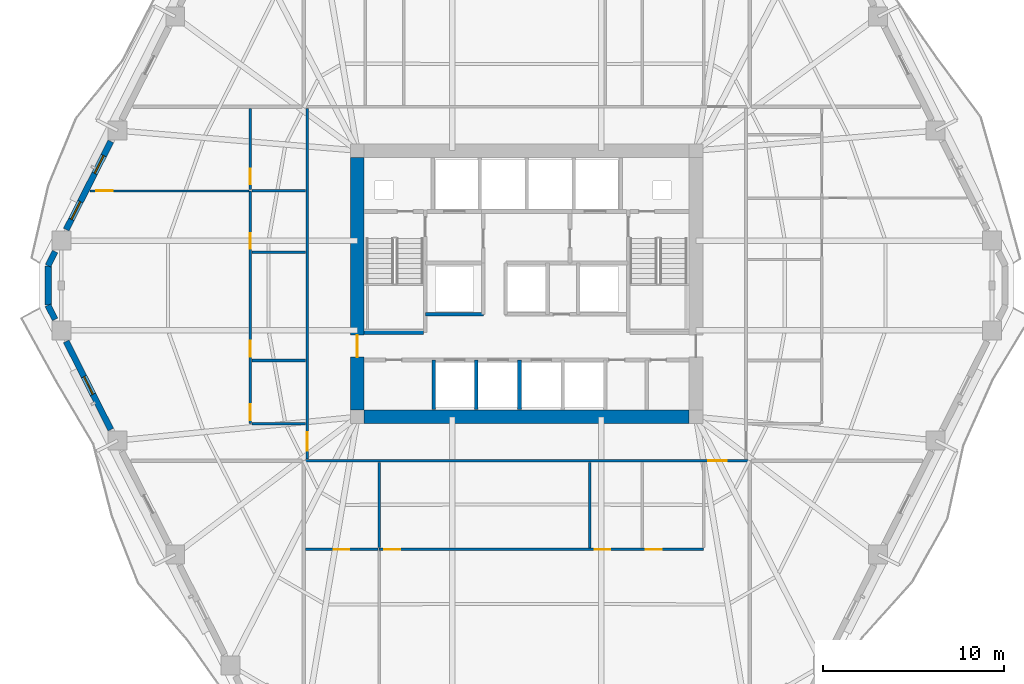
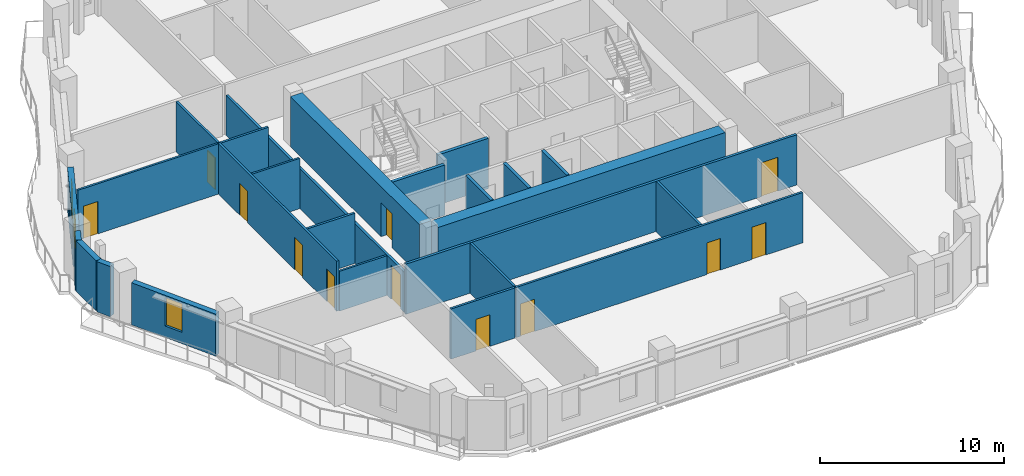
# One storey, part 4 of 13: 25 walls, 12 doors, 3 windows, 15 openings.
"""IFC4 building model written with IfcOpenShell, lengths in metres."""

from ifc_helpers import new_model, si_unit, direction, frame, frame_2d, origin, place, context, subcontext, project, spatial, rectangle, extrude, material, layer, layer_set, type_object, element, fill, save


model = new_model("IFC4")

# Units and contexts
model_context = context("Model", 3, precision=1e-05, world=origin(), true_north=direction((0.0, 1.0)))
body_context = subcontext(model_context, "Body", "Model", "MODEL_VIEW")
ifc_project = project(units=[si_unit("LENGTHUNIT", "METRE"), si_unit("AREAUNIT", "SQUARE_METRE"), si_unit("VOLUMEUNIT", "CUBIC_METRE"), si_unit("PLANEANGLEUNIT", "RADIAN"), si_unit("MASSUNIT", "GRAM", prefix="KILO")], contexts=[model_context])

# Site, building, storey
site_placement = place(None, origin())
site = spatial("IfcSite", under=ifc_project, at=site_placement, CompositionType="ELEMENT")
building_placement = place(site_placement, origin())
building = spatial("IfcBuilding", under=site, at=building_placement, Name="Cinnabar Lancet Tower", CompositionType="ELEMENT")
storey_placement = place(building_placement, frame((0.0, 0.0, 83.550048828125)))
storey = spatial("IfcBuildingStorey", under=building, at=storey_placement, Name="L21", CompositionType="ELEMENT", Elevation=83.550048828125)

# Wall, opening, door
ifc_material_1 = material(Name="Acoustic twin-stud gypsum partition", Category="gypsum")
ifc_layer_1 = layer(ifc_material_1, 0.159912109375)
ifc_layer_set_1 = layer_set([ifc_layer_1], Name="Acoustic twin-stud gypsum partition")
wall_type_1 = type_object("IfcWallType", Name="ARC-WL-CORR-160", PredefinedType="PARTITIONING", material=ifc_layer_set_1)
wall_1_placement = place(storey_placement, frame((20.14501953125, 16.10009765625, 0.0), z_axis=(0.0, 0.0, 1.0), x_axis=(1.0, 0.0, 0.0)))
wall_1 = element("IfcWall", 1, at=wall_1_placement, inside=storey, type_object=wall_type_1, Name="L21 Unit S01 Corridor Wall", PredefinedType="PARTITIONING", context=body_context, shape_type="SweptSolid", body=[
    extrude(rectangle(XDim=24.510009765625, YDim=0.159912109375, at=frame_2d((12.2548828125, 0.0))), origin(), (0.0, 0.0, 1.0), 3.329833984375),
])
opening_1_placement = place(wall_1_placement, frame((22.304931640625, 0.0, 0.0)))
opening_1 = element("IfcOpeningElement", 2, at=opening_1_placement, cuts=wall_1, Name="Opening UD-01", PredefinedType="OPENING", context=body_context, shape_type="SweptSolid", body=[
    extrude(rectangle(XDim=1.02001953125, YDim=2.25, at=frame_2d((0.510009765625, 1.125))), frame((0.0, 0.08984375, 0.0), z_axis=(0.0, -1.0, 0.0), x_axis=(1.0, 0.0, 0.0)), (0.0, 0.0, 1.0), 0.179931640625),
])
ifc_material_2 = material(Name="Solid timber fire-rated apartment entrance door", Category="wood")
door_type_1 = type_object("IfcDoorType", Name="ARC-DR-UNIT", OperationType="NOTDEFINED", PredefinedType="DOOR", material=ifc_material_2)
door_1_placement = place(opening_1_placement, origin())
door_1 = element("IfcDoor", 3, at=door_1_placement, inside=storey, type_object=door_type_1, Name="DR-L21-S01-ENT", OperationType="SINGLE_SWING_RIGHT", OverallHeight=2.25, OverallWidth=1.02001953125, PredefinedType="DOOR", context=body_context, shape_type="SweptSolid", body=[
    extrude(rectangle(XDim=1.02001953125, YDim=2.25, at=frame_2d((0.510009765625, 1.125))), frame((0.0, 0.02490234375, 0.0), z_axis=(0.0, -1.0, 0.0), x_axis=(1.0, 0.0, 0.0)), (0.0, 0.0, 1.0), 0.050048828125),
])
fill(opening_1, door_1)

wall_2_placement = place(storey_placement, frame((20.25, 16.195068359375, 0.0), z_axis=(0.0, 0.0, 1.0), x_axis=(0.0, 1.0, 0.0)))
wall_2 = element("IfcWall", 4, at=wall_2_placement, inside=storey, type_object=wall_type_1, Name="UW-L21-W01-COR", PredefinedType="PARTITIONING", context=body_context, shape_type="SweptSolid", body=[
    extrude(rectangle(XDim=19.409912109375, YDim=0.159912109375, at=frame_2d((9.705078125, 0.0))), origin(), (0.0, 0.0, 1.0), 2.635986328125),
])
opening_2_placement = place(wall_2_placement, frame((0.449951171875, 0.0, 0.0)))
opening_2 = element("IfcOpeningElement", 5, at=opening_2_placement, cuts=wall_2, Name="Opening UD-01", PredefinedType="OPENING", context=body_context, shape_type="SweptSolid", body=[
    extrude(rectangle(XDim=1.02001953125, YDim=2.25, at=frame_2d((0.510009765625, 1.125))), frame((0.0, 0.08984375, 0.0), z_axis=(0.0, -1.0, 0.0), x_axis=(1.0, 0.0, 0.0)), (0.0, 0.0, 1.0), 0.179931640625),
])
door_2_placement = place(opening_2_placement, origin())
door_2 = element("IfcDoor", 6, at=door_2_placement, inside=storey, type_object=door_type_1, Name="DR-L21-W01-ENT", OperationType="SINGLE_SWING_RIGHT", OverallHeight=2.25, OverallWidth=1.02001953125, PredefinedType="DOOR", context=body_context, shape_type="SweptSolid", body=[
    extrude(rectangle(XDim=1.02001953125, YDim=2.25, at=frame_2d((0.510009765625, 1.125))), frame((0.0, 0.02490234375, 0.0), z_axis=(0.0, -1.0, 0.0), x_axis=(1.0, 0.0, 0.0)), (0.0, 0.0, 1.0), 0.050048828125),
])
fill(opening_2, door_2)

# Walls
ifc_material_3 = material(Name="Autoclaved aerated concrete blockwork", Category="masonry")
ifc_layer_2 = layer(ifc_material_3, 0.199951171875)
ifc_layer_set_2 = layer_set([ifc_layer_2], Name="Autoclaved aerated concrete blockwork")
wall_type_2 = type_object("IfcWallType", Name="ARC-WL-SHAFT-200", PredefinedType="PLUMBINGWALL", material=ifc_layer_set_2)
wall_3_placement = place(storey_placement, frame((23.405029296875, 23.199951171875, 0.0), z_axis=(0.0, 0.0, 1.0), x_axis=(1.0, 0.0, 0.0)))
element("IfcWall", 7, at=wall_3_placement, inside=storey, type_object=wall_type_2, Name="CW-ST1S-L21", PredefinedType="PLUMBINGWALL", context=body_context, shape_type="SweptSolid", body=[
    extrude(rectangle(XDim=3.27001953125, YDim=0.199951171875, at=frame_2d((1.635009765625, 0.0))), origin(), (0.0, 0.0, 1.0), 3.329833984375),
])
wall_4_placement = place(storey_placement, frame((26.800048828125, 24.199951171875, 0.0), z_axis=(0.0, 0.0, 1.0), x_axis=(1.0, 0.0, 0.0)))
element("IfcWall", 8, at=wall_4_placement, inside=storey, type_object=wall_type_2, Name="CW-PL5S-L21", PredefinedType="PLUMBINGWALL", context=body_context, shape_type="SweptSolid", body=[
    extrude(rectangle(XDim=3.199951171875, YDim=0.199951171875, at=frame_2d((1.60009765625, 0.0))), origin(), (0.0, 0.0, 1.0), 3.329833984375),
])
for number, where, z_axis, x_axis, name in (
    (9, (27.25, 18.949951171875, 0.0), (0.0, 0.0, 1.0), (0.0, 1.0, 0.0), "CW-SB-2725-L21"),
    (10, (29.60009765625, 18.949951171875, 0.0), (0.0, 0.0, 1.0), (0.0, 1.0, 0.0), "CW-SB-2960-L21"),
    (11, (32.0, 18.949951171875, 0.0), (0.0, 0.0, 1.0), (0.0, 1.0, 0.0), "CW-SB-3200-L21"),
):
    element("IfcWall", number, at=place(storey_placement, frame(where, z_axis=z_axis, x_axis=x_axis)), inside=storey, type_object=wall_type_2, Name=name, PredefinedType="PLUMBINGWALL", context=body_context, shape_type="SweptSolid", body=[
        extrude(rectangle(XDim=2.72998046875, YDim=0.199951171875, at=frame_2d((1.364990234375, 0.0))), origin(), (0.0, 0.0, 1.0), 3.329833984375),
    ])
ifc_material_4 = material(Name="Gypsum plasterboard stud partition", Category="gypsum")
ifc_layer_3 = layer(ifc_material_4, 0.125)
ifc_layer_set_3 = layer_set([ifc_layer_3], Name="Gypsum plasterboard stud partition")
wall_type_3 = type_object("IfcWallType", Name="ARC-WL-UNIT-125", PredefinedType="PARTITIONING", material=ifc_layer_set_3)
wall_5_placement = place(storey_placement, frame((17.18505859375, 18.14990234375, 0.0), z_axis=(0.0, 0.0, 1.0), x_axis=(1.0, 0.0, 0.0)))
element("IfcWall", 12, at=wall_5_placement, inside=storey, type_object=wall_type_3, Name="UW-L21-W01-FOYN", PredefinedType="PARTITIONING", context=body_context, shape_type="SweptSolid", body=[
    extrude(rectangle(XDim=2.97998046875, YDim=0.125, at=frame_2d((1.489990234375, 0.0))), origin(), (0.0, 0.0, 1.0), 2.635986328125),
])

# Wall, opening, door
wall_6_placement = place(storey_placement, frame((8.215087890625, 31.0380859375, 0.0), z_axis=(0.0, 0.0, 1.0), x_axis=(1.0, 0.0, 0.0)))
wall_6 = element("IfcWall", 13, at=wall_6_placement, inside=storey, type_object=wall_type_3, Name="UW-L21-W01-MBN", PredefinedType="PARTITIONING", context=body_context, shape_type="SweptSolid", body=[
    extrude(rectangle(XDim=8.809814453125, YDim=0.125, at=frame_2d((4.40478515625, 0.0))), origin(), (0.0, 0.0, 1.0), 3.329833984375),
])
opening_3_placement = place(wall_6_placement, frame((0.35009765625, 0.0, 0.0)))
opening_3 = element("IfcOpeningElement", 14, at=opening_3_placement, cuts=wall_6, Name="Opening RD-01", PredefinedType="OPENING", context=body_context, shape_type="SweptSolid", body=[
    extrude(rectangle(XDim=0.919921875, YDim=2.14990234375, at=frame_2d((0.4599609375, 1.074951171875))), frame((0.0, 0.072509765625, 0.0), z_axis=(0.0, -1.0, 0.0), x_axis=(1.0, 0.0, 0.0)), (0.0, 0.0, 1.0), 0.14501953125),
])
ifc_material_5 = material(Name="Engineered timber bedroom door", Category="wood")
door_type_2 = type_object("IfcDoorType", Name="ARC-DR-ROOM", OperationType="NOTDEFINED", PredefinedType="DOOR", material=ifc_material_5)
door_3_placement = place(opening_3_placement, origin())
door_3 = element("IfcDoor", 15, at=door_3_placement, inside=storey, type_object=door_type_2, Name="DR-L21-W01-MBD", OperationType="SINGLE_SWING_RIGHT", OverallHeight=2.14990234375, OverallWidth=0.919921875, PredefinedType="DOOR", context=body_context, shape_type="SweptSolid", body=[
    extrude(rectangle(XDim=0.919921875, YDim=2.14990234375, at=frame_2d((0.4599609375, 1.074951171875))), frame((0.0, 0.02490234375, 0.0), z_axis=(0.0, -1.0, 0.0), x_axis=(1.0, 0.0, 0.0)), (0.0, 0.0, 1.0), 0.050048828125),
])
fill(opening_3, door_3)

# Wall
wall_7_placement = place(storey_placement, frame((17.18505859375, 27.637939453125, 0.0), z_axis=(0.0, 0.0, 1.0), x_axis=(1.0, 0.0, 0.0)))
element("IfcWall", 16, at=wall_7_placement, inside=storey, type_object=wall_type_3, Name="UW-L21-W01-UDV", PredefinedType="PARTITIONING", context=body_context, shape_type="SweptSolid", body=[
    extrude(rectangle(XDim=2.97998046875, YDim=0.125, at=frame_2d((1.489990234375, 0.0))), origin(), (0.0, 0.0, 1.0), 3.329833984375),
])

# Wall, openings, doors
ifc_material_6 = material(Name="Moisture-resistant cement-board plumbing wall", Category="masonry")
ifc_layer_4 = layer(ifc_material_6, 0.139892578125)
ifc_layer_set_4 = layer_set([ifc_layer_4], Name="Moisture-resistant cement-board plumbing wall")
wall_type_4 = type_object("IfcWallType", Name="ARC-WL-WET-140", PredefinedType="PLUMBINGWALL", material=ifc_layer_set_4)
wall_8_placement = place(storey_placement, frame((24.22998046875, 11.18798828125, 0.0), z_axis=(0.0, 0.0, 1.0), x_axis=(1.0, 0.0, 0.0)))
wall_8 = element("IfcWall", 17, at=wall_8_placement, inside=storey, type_object=wall_type_4, Name="UW-L21-S01-SPL", PredefinedType="PLUMBINGWALL", context=body_context, shape_type="SweptSolid", body=[
    extrude(rectangle(XDim=17.969970703125, YDim=0.139892578125, at=frame_2d((8.98486328125, 0.0))), origin(), (0.0, 0.0, 1.0), 3.329833984375),
])
opening_4_placement = place(wall_8_placement, frame((0.280029296875, 0.0, 0.0)))
opening_4 = element("IfcOpeningElement", 18, at=opening_4_placement, cuts=wall_8, Name="Opening RD-02", PredefinedType="OPENING", context=body_context, shape_type="SweptSolid", body=[
    extrude(rectangle(XDim=0.8798828125, YDim=2.14990234375, at=frame_2d((0.43994140625, 1.074951171875))), frame((0.0, 0.079833984375, 0.0), z_axis=(0.0, -1.0, 0.0), x_axis=(1.0, 0.0, 0.0)), (0.0, 0.0, 1.0), 0.159912109375),
])
opening_5_placement = place(wall_8_placement, frame((11.946044921875, 0.0, 0.0)))
opening_5 = element("IfcOpeningElement", 19, at=opening_5_placement, cuts=wall_8, Name="Opening BD-01", PredefinedType="OPENING", context=body_context, shape_type="SweptSolid", body=[
    extrude(rectangle(XDim=0.860107421875, YDim=2.10009765625, at=frame_2d((0.43017578125, 1.050048828125))), frame((0.0, 0.079833984375, 0.0), z_axis=(0.0, -1.0, 0.0), x_axis=(1.0, 0.0, 0.0)), (0.0, 0.0, 1.0), 0.159912109375),
])
opening_6_placement = place(wall_8_placement, frame((14.77001953125, 0.0, 0.0)))
opening_6 = element("IfcOpeningElement", 20, at=opening_6_placement, cuts=wall_8, Name="Opening RD-02", PredefinedType="OPENING", context=body_context, shape_type="SweptSolid", body=[
    extrude(rectangle(XDim=0.8798828125, YDim=2.14990234375, at=frame_2d((0.43994140625, 1.074951171875))), frame((0.0, 0.079833984375, 0.0), z_axis=(0.0, -1.0, 0.0), x_axis=(1.0, 0.0, 0.0)), (0.0, 0.0, 1.0), 0.159912109375),
])
ifc_material_7 = material(Name="Moisture-resistant timber bathroom door", Category="wood")
door_type_3 = type_object("IfcDoorType", Name="ARC-DR-BATH", OperationType="NOTDEFINED", PredefinedType="DOOR", material=ifc_material_7)
door_4_placement = place(opening_5_placement, origin())
door_4 = element("IfcDoor", 21, at=door_4_placement, inside=storey, type_object=door_type_3, Name="DR-L21-S01-BTH", OperationType="SINGLE_SWING_RIGHT", OverallHeight=2.10009765625, OverallWidth=0.860107421875, PredefinedType="DOOR", context=body_context, shape_type="SweptSolid", body=[
    extrude(rectangle(XDim=0.860107421875, YDim=2.10009765625, at=frame_2d((0.43017578125, 1.050048828125))), frame((0.0, 0.02490234375, 0.0), z_axis=(0.0, -1.0, 0.0), x_axis=(1.0, 0.0, 0.0)), (0.0, 0.0, 1.0), 0.050048828125),
])
fill(opening_5, door_4)
ifc_material_8 = material(Name="Engineered timber study door", Category="wood")
door_type_4 = type_object("IfcDoorType", Name="ARC-DR-STUDY", OperationType="NOTDEFINED", PredefinedType="DOOR", material=ifc_material_8)
door_5_placement = place(opening_4_placement, origin())
door_5 = element("IfcDoor", 22, at=door_5_placement, inside=storey, type_object=door_type_4, Name="DR-L21-S01-BTH-WDR", OperationType="SINGLE_SWING_LEFT", OverallHeight=2.14990234375, OverallWidth=0.8798828125, PredefinedType="DOOR", context=body_context, shape_type="SweptSolid", body=[
    extrude(rectangle(XDim=0.8798828125, YDim=2.14990234375, at=frame_2d((0.43994140625, 1.074951171875))), frame((0.0, 0.02490234375, 0.0), z_axis=(0.0, -1.0, 0.0), x_axis=(1.0, 0.0, 0.0)), (0.0, 0.0, 1.0), 0.050048828125),
])
fill(opening_4, door_5)
door_6_placement = place(opening_6_placement, origin())
door_6 = element("IfcDoor", 23, at=door_6_placement, inside=storey, type_object=door_type_4, Name="DR-L21-S01-KIT", OperationType="SINGLE_SWING_RIGHT", OverallHeight=2.14990234375, OverallWidth=0.8798828125, PredefinedType="DOOR", context=body_context, shape_type="SweptSolid", body=[
    extrude(rectangle(XDim=0.8798828125, YDim=2.14990234375, at=frame_2d((0.43994140625, 1.074951171875))), frame((0.0, 0.02490234375, 0.0), z_axis=(0.0, -1.0, 0.0), x_axis=(1.0, 0.0, 0.0)), (0.0, 0.0, 1.0), 0.050048828125),
])
fill(opening_6, door_6)

# Wall, opening, door
wall_9_placement = place(storey_placement, frame((20.14501953125, 11.18798828125, 0.0), z_axis=(0.0, 0.0, 1.0), x_axis=(1.0, 0.0, 0.0)))
wall_9 = element("IfcWall", 24, at=wall_9_placement, inside=storey, type_object=wall_type_4, Name="UW-L21-S01-SPM", PredefinedType="PLUMBINGWALL", context=body_context, shape_type="SweptSolid", body=[
    extrude(rectangle(XDim=4.010009765625, YDim=0.139892578125, at=frame_2d((2.0048828125, 0.0))), origin(), (0.0, 0.0, 1.0), 3.329833984375),
])
opening_7_placement = place(wall_9_placement, frame((1.580078125, 0.0, 0.0)))
opening_7 = element("IfcOpeningElement", 25, at=opening_7_placement, cuts=wall_9, Name="Opening BD-01", PredefinedType="OPENING", context=body_context, shape_type="SweptSolid", body=[
    extrude(rectangle(XDim=0.860107421875, YDim=2.10009765625, at=frame_2d((0.43017578125, 1.050048828125))), frame((0.0, 0.079833984375, 0.0), z_axis=(0.0, -1.0, 0.0), x_axis=(1.0, 0.0, 0.0)), (0.0, 0.0, 1.0), 0.159912109375),
])
door_7_placement = place(opening_7_placement, origin())
door_7 = element("IfcDoor", 26, at=door_7_placement, inside=storey, type_object=door_type_3, Name="DR-L21-S01-ENS", OperationType="SINGLE_SWING_RIGHT", OverallHeight=2.10009765625, OverallWidth=0.860107421875, PredefinedType="DOOR", context=body_context, shape_type="SweptSolid", body=[
    extrude(rectangle(XDim=0.860107421875, YDim=2.10009765625, at=frame_2d((0.43017578125, 1.050048828125))), frame((0.0, 0.02490234375, 0.0), z_axis=(0.0, -1.0, 0.0), x_axis=(1.0, 0.0, 0.0)), (0.0, 0.0, 1.0), 0.050048828125),
])
fill(opening_7, door_7)

# Walls
wall_10_placement = place(storey_placement, frame((24.22998046875, 11.29296875, 0.0), z_axis=(0.0, 0.0, 1.0), x_axis=(0.0, 1.0, 0.0)))
element("IfcWall", 27, at=wall_10_placement, inside=storey, type_object=wall_type_4, Name="UW-L21-S01-ENSW", PredefinedType="PLUMBINGWALL", context=body_context, shape_type="SweptSolid", body=[
    extrude(rectangle(XDim=4.721923828125, YDim=0.139892578125, at=frame_2d((2.36083984375, 0.0))), origin(), (0.0, 0.0, 1.0), 3.329833984375),
])
wall_11_placement = place(storey_placement, frame((35.89599609375, 11.27294921875, 0.0), z_axis=(0.0, 0.0, 1.0), x_axis=(0.0, 1.0, 0.0)))
element("IfcWall", 28, at=wall_11_placement, inside=storey, type_object=wall_type_4, Name="UW-L21-S01-BTH-WDV", PredefinedType="PLUMBINGWALL", context=body_context, shape_type="SweptSolid", body=[
    extrude(rectangle(XDim=4.741943359375, YDim=0.139892578125, at=frame_2d((2.37109375, 0.0))), origin(), (0.0, 0.0, 1.0), 3.329833984375),
])

# Wall, openings, doors
wall_12_placement = place(storey_placement, frame((17.10009765625, 18.14990234375, 0.0), z_axis=(0.0, 0.0, 1.0), x_axis=(0.0, 1.0, 0.0)))
wall_12 = element("IfcWall", 29, at=wall_12_placement, inside=storey, type_object=wall_type_4, Name="UW-L21-W01-SPL", PredefinedType="PLUMBINGWALL", context=body_context, shape_type="SweptSolid", body=[
    extrude(rectangle(XDim=12.88818359375, YDim=0.139892578125, at=frame_2d((6.444091796875, 0.0))), origin(), (0.0, 0.0, 1.0), 3.329833984375),
])
opening_8_placement = place(wall_12_placement, frame((0.199951171875, 0.0, 0.0)))
opening_8 = element("IfcOpeningElement", 30, at=opening_8_placement, cuts=wall_12, Name="Opening RD-02", PredefinedType="OPENING", context=body_context, shape_type="SweptSolid", body=[
    extrude(rectangle(XDim=0.8798828125, YDim=2.14990234375, at=frame_2d((0.43994140625, 1.074951171875))), frame((0.0, 0.079833984375, 0.0), z_axis=(0.0, -1.0, 0.0), x_axis=(1.0, 0.0, 0.0)), (0.0, 0.0, 1.0), 0.159912109375),
])
opening_9_placement = place(wall_12_placement, frame((3.699951171875, 0.0, 0.0)))
opening_9 = element("IfcOpeningElement", 31, at=opening_9_placement, cuts=wall_12, Name="Opening RD-02", PredefinedType="OPENING", context=body_context, shape_type="SweptSolid", body=[
    extrude(rectangle(XDim=0.8798828125, YDim=2.14990234375, at=frame_2d((0.43994140625, 1.074951171875))), frame((0.0, 0.079833984375, 0.0), z_axis=(0.0, -1.0, 0.0), x_axis=(1.0, 0.0, 0.0)), (0.0, 0.0, 1.0), 0.159912109375),
])
opening_10_placement = place(wall_12_placement, frame((9.68798828125, 0.0, 0.0)))
opening_10 = element("IfcOpeningElement", 32, at=opening_10_placement, cuts=wall_12, Name="Opening BD-01", PredefinedType="OPENING", context=body_context, shape_type="SweptSolid", body=[
    extrude(rectangle(XDim=0.860107421875, YDim=2.10009765625, at=frame_2d((0.43017578125, 1.050048828125))), frame((0.0, 0.079833984375, 0.0), z_axis=(0.0, -1.0, 0.0), x_axis=(1.0, 0.0, 0.0)), (0.0, 0.0, 1.0), 0.159912109375),
])
door_8_placement = place(opening_10_placement, origin())
door_8 = element("IfcDoor", 33, at=door_8_placement, inside=storey, type_object=door_type_3, Name="DR-L21-W01-BTH", OperationType="SINGLE_SWING_LEFT", OverallHeight=2.10009765625, OverallWidth=0.860107421875, PredefinedType="DOOR", context=body_context, shape_type="SweptSolid", body=[
    extrude(rectangle(XDim=0.860107421875, YDim=2.10009765625, at=frame_2d((0.43017578125, 1.050048828125))), frame((0.0, 0.02490234375, 0.0), z_axis=(0.0, -1.0, 0.0), x_axis=(1.0, 0.0, 0.0)), (0.0, 0.0, 1.0), 0.050048828125),
])
fill(opening_10, door_8)
door_9_placement = place(opening_8_placement, origin())
door_9 = element("IfcDoor", 34, at=door_9_placement, inside=storey, type_object=door_type_4, Name="DR-L21-W01-KIT", OperationType="SINGLE_SWING_LEFT", OverallHeight=2.14990234375, OverallWidth=0.8798828125, PredefinedType="DOOR", context=body_context, shape_type="SweptSolid", body=[
    extrude(rectangle(XDim=0.8798828125, YDim=2.14990234375, at=frame_2d((0.43994140625, 1.074951171875))), frame((0.0, 0.02490234375, 0.0), z_axis=(0.0, -1.0, 0.0), x_axis=(1.0, 0.0, 0.0)), (0.0, 0.0, 1.0), 0.050048828125),
])
fill(opening_8, door_9)
door_10_placement = place(opening_9_placement, origin())
door_10 = element("IfcDoor", 35, at=door_10_placement, inside=storey, type_object=door_type_4, Name="DR-L21-W01-UTL", OperationType="SINGLE_SWING_RIGHT", OverallHeight=2.14990234375, OverallWidth=0.8798828125, PredefinedType="DOOR", context=body_context, shape_type="SweptSolid", body=[
    extrude(rectangle(XDim=0.8798828125, YDim=2.14990234375, at=frame_2d((0.43994140625, 1.074951171875))), frame((0.0, 0.02490234375, 0.0), z_axis=(0.0, -1.0, 0.0), x_axis=(1.0, 0.0, 0.0)), (0.0, 0.0, 1.0), 0.050048828125),
])
fill(opening_9, door_10)

# Wall, opening, door
wall_13_placement = place(storey_placement, frame((17.10009765625, 31.10791015625, 0.0), z_axis=(0.0, 0.0, 1.0), x_axis=(0.0, 1.0, 0.0)))
wall_13 = element("IfcWall", 36, at=wall_13_placement, inside=storey, type_object=wall_type_4, Name="UW-L21-W01-SPM", PredefinedType="PLUMBINGWALL", context=body_context, shape_type="SweptSolid", body=[
    extrude(rectangle(XDim=4.4970703125, YDim=0.139892578125, at=frame_2d((2.24853515625, 0.0))), origin(), (0.0, 0.0, 1.0), 3.329833984375),
])
opening_11_placement = place(wall_13_placement, frame((0.300048828125, 0.0, 0.0)))
opening_11 = element("IfcOpeningElement", 37, at=opening_11_placement, cuts=wall_13, Name="Opening BD-01", PredefinedType="OPENING", context=body_context, shape_type="SweptSolid", body=[
    extrude(rectangle(XDim=0.860107421875, YDim=2.10009765625, at=frame_2d((0.43017578125, 1.050048828125))), frame((0.0, 0.079833984375, 0.0), z_axis=(0.0, -1.0, 0.0), x_axis=(1.0, 0.0, 0.0)), (0.0, 0.0, 1.0), 0.159912109375),
])
door_11_placement = place(opening_11_placement, origin())
door_11 = element("IfcDoor", 38, at=door_11_placement, inside=storey, type_object=door_type_3, Name="DR-L21-W01-ENS", OperationType="SINGLE_SWING_RIGHT", OverallHeight=2.10009765625, OverallWidth=0.860107421875, PredefinedType="DOOR", context=body_context, shape_type="SweptSolid", body=[
    extrude(rectangle(XDim=0.860107421875, YDim=2.10009765625, at=frame_2d((0.43017578125, 1.050048828125))), frame((0.0, 0.02490234375, 0.0), z_axis=(0.0, -1.0, 0.0), x_axis=(1.0, 0.0, 0.0)), (0.0, 0.0, 1.0), 0.050048828125),
])
fill(opening_11, door_11)

# Walls
for number, where, z_axis, x_axis, name in (
    (39, (17.18505859375, 31.0380859375, 0.0), (0.0, 0.0, 1.0), (1.0, 0.0, 0.0), "UW-L21-W01-ENSN"),
    (40, (17.18505859375, 21.64990234375, 0.0), (0.0, 0.0, 1.0), (1.0, 0.0, 0.0), "UW-L21-W01-KDV"),
):
    element("IfcWall", number, at=place(storey_placement, frame(where, z_axis=z_axis, x_axis=x_axis)), inside=storey, type_object=wall_type_4, Name=name, PredefinedType="PLUMBINGWALL", context=body_context, shape_type="SweptSolid", body=[
        extrude(rectangle(XDim=2.97998046875, YDim=0.139892578125, at=frame_2d((1.489990234375, 0.0))), origin(), (0.0, 0.0, 1.0), 3.329833984375),
    ])
ifc_material_9 = material(Name="Cinnabar red clay brick", Category="masonry")
ifc_layer_5 = layer(ifc_material_9, 0.340087890625)
ifc_layer_set_5 = layer_set([ifc_layer_5], Name="Cinnabar red clay brick")
wall_type_5 = type_object("IfcWallType", Name="ENV-WL-BRK-RED-340", PredefinedType="STANDARD", material=ifc_layer_set_5)
wall_14_placement = place(storey_placement, frame((5.912109375, 26.885986328125, 0.0), z_axis=(0.0, 0.0, 1.0), x_axis=(0.0, -1.0, 0.0)))
element("IfcWall", 41, at=wall_14_placement, inside=storey, type_object=wall_type_5, Name="L21 Chamfered Corner Brick Pier 6.1", PredefinedType="STANDARD", context=body_context, shape_type="SweptSolid", body=[
    extrude(rectangle(XDim=2.171875, YDim=0.340087890625, at=frame_2d((1.0859375, 0.0))), origin(), (0.0, 0.0, 1.0), 3.329833984375),
])

# Wall, openings, windows
wall_15_placement = place(storey_placement, frame((9.3740234375, 33.77587890625, 0.0), z_axis=(0.0, 0.0, 1.0), x_axis=(-0.451597066012, -0.892221995901, 0.0)))
wall_15 = element("IfcWall", 42, at=wall_15_placement, inside=storey, type_object=wall_type_5, Name="L21 Face 5 Masonry Bay Wall 4", PredefinedType="STANDARD", context=body_context, shape_type="SweptSolid", body=[
    extrude(rectangle(XDim=5.4736328125, YDim=0.340087890625, at=frame_2d((2.73681640625, 0.0))), origin(), (0.0, 0.0, 1.0), 2.786865234375),
])
opening_12_placement = place(wall_15_placement, frame((0.873046875, 0.0, 0.75)))
opening_12 = element("IfcOpeningElement", 43, at=opening_12_placement, cuts=wall_15, Name="Opening WN-04", PredefinedType="OPENING", context=body_context, shape_type="SweptSolid", body=[
    extrude(rectangle(XDim=1.10009765625, YDim=1.886962890625, at=frame_2d((0.550048828125, 0.943359375))), frame((0.0, 0.179931640625, 0.0), z_axis=(0.0, -1.0, 0.0), x_axis=(1.0, 0.0, 0.0)), (0.0, 0.0, 1.0), 0.360107421875),
])
opening_13_placement = place(wall_15_placement, frame((3.72998046875, 0.0, 0.75)))
opening_13 = element("IfcOpeningElement", 44, at=opening_13_placement, cuts=wall_15, Name="Opening WN-04", PredefinedType="OPENING", context=body_context, shape_type="SweptSolid", body=[
    extrude(rectangle(XDim=1.10009765625, YDim=1.886962890625, at=frame_2d((0.550048828125, 0.943359375))), frame((0.0, 0.179931640625, 0.0), z_axis=(0.0, -1.0, 0.0), x_axis=(1.0, 0.0, 0.0)), (0.0, 0.0, 1.0), 0.360107421875),
])
ifc_material_10 = material(Name="Thermally broken bronze-anodized aluminium tall lancet window", Category="aluminium")
window_type = type_object("IfcWindowType", Name="ENV-WN-LANCET-1100", PartitioningType="SINGLE_PANEL", PredefinedType="WINDOW", material=ifc_material_10)
window_1_placement = place(opening_12_placement, origin())
window_1 = element("IfcWindow", 45, at=window_1_placement, inside=storey, type_object=window_type, Name="L21 Face 5 Gothic Lancet Window 4", OverallHeight=1.886962890625, OverallWidth=1.10009765625, PartitioningType="SINGLE_PANEL", PredefinedType="WINDOW", context=body_context, shape_type="SweptSolid", body=[
    extrude(rectangle(XDim=1.10009765625, YDim=1.886962890625, at=frame_2d((0.550048828125, 0.943359375))), frame((0.0, 0.030029296875, 0.0), z_axis=(0.0, -1.0, 0.0), x_axis=(1.0, 0.0, 0.0)), (0.0, 0.0, 1.0), 0.06005859375),
])
fill(opening_12, window_1)
window_2_placement = place(opening_13_placement, origin())
window_2 = element("IfcWindow", 46, at=window_2_placement, inside=storey, type_object=window_type, Name="L21 Split-Bay Gothic Lancet Window 65", OverallHeight=1.886962890625, OverallWidth=1.10009765625, PartitioningType="SINGLE_PANEL", PredefinedType="WINDOW", context=body_context, shape_type="SweptSolid", body=[
    extrude(rectangle(XDim=1.10009765625, YDim=1.886962890625, at=frame_2d((0.550048828125, 0.943359375))), frame((0.0, 0.030029296875, 0.0), z_axis=(0.0, -1.0, 0.0), x_axis=(1.0, 0.0, 0.0)), (0.0, 0.0, 1.0), 0.06005859375),
])
fill(opening_13, window_2)

# Walls
wall_16_placement = place(storey_placement, frame((6.2890625, 27.679931640625, 0.0), z_axis=(0.0, 0.0, 1.0), x_axis=(-0.451306655769, -0.892368927327, 0.0)))
element("IfcWall", 47, at=wall_16_placement, inside=storey, type_object=wall_type_5, Name="L21 Face 5 Masonry Bay Wall 5", PredefinedType="STANDARD", context=body_context, shape_type="SweptSolid", body=[
    extrude(rectangle(XDim=0.8818359375, YDim=0.340087890625, at=frame_2d((0.44091796875, 0.0))), origin(), (0.0, 0.0, 1.0), 3.329833984375),
])
wall_17_placement = place(storey_placement, frame((5.89111328125, 24.70703125, 0.0), z_axis=(0.0, 0.0, 1.0), x_axis=(0.451195173259, -0.892425299747, 0.0)))
element("IfcWall", 48, at=wall_17_placement, inside=storey, type_object=wall_type_5, Name="L21 Face 6 Masonry Bay Wall 1", PredefinedType="STANDARD", context=body_context, shape_type="SweptSolid", body=[
    extrude(rectangle(XDim=0.882080078125, YDim=0.340087890625, at=frame_2d((0.44091796875, 0.0))), origin(), (0.0, 0.0, 1.0), 3.329833984375),
])

# Wall, opening, window
wall_18_placement = place(storey_placement, frame((6.902099609375, 22.7080078125, 0.0), z_axis=(0.0, 0.0, 1.0), x_axis=(0.451579095309, -0.892231091523, 0.0)))
wall_18 = element("IfcWall", 49, at=wall_18_placement, inside=storey, type_object=wall_type_5, Name="L21 Face 6 Masonry Bay Wall 2", PredefinedType="STANDARD", context=body_context, shape_type="SweptSolid", body=[
    extrude(rectangle(XDim=5.473876953125, YDim=0.340087890625, at=frame_2d((2.73681640625, 0.0))), origin(), (0.0, 0.0, 1.0), 2.786865234375),
])
opening_14_placement = place(wall_18_placement, frame((2.18701171875, 0.0, 0.75)))
opening_14 = element("IfcOpeningElement", 50, at=opening_14_placement, cuts=wall_18, Name="Opening WN-04", PredefinedType="OPENING", context=body_context, shape_type="SweptSolid", body=[
    extrude(rectangle(XDim=1.10009765625, YDim=1.886962890625, at=frame_2d((0.550048828125, 0.943359375))), frame((0.0, 0.179931640625, 0.0), z_axis=(0.0, -1.0, 0.0), x_axis=(1.0, 0.0, 0.0)), (0.0, 0.0, 1.0), 0.360107421875),
])
window_3_placement = place(opening_14_placement, origin())
window_3 = element("IfcWindow", 51, at=window_3_placement, inside=storey, type_object=window_type, Name="L21 Face 6 Gothic Lancet Window 2", OverallHeight=1.886962890625, OverallWidth=1.10009765625, PartitioningType="SINGLE_PANEL", PredefinedType="WINDOW", context=body_context, shape_type="SweptSolid", body=[
    extrude(rectangle(XDim=1.10009765625, YDim=1.886962890625, at=frame_2d((0.550048828125, 0.943359375))), frame((0.0, 0.030029296875, 0.0), z_axis=(0.0, -1.0, 0.0), x_axis=(1.0, 0.0, 0.0)), (0.0, 0.0, 1.0), 0.06005859375),
])
fill(opening_14, window_3)

# Wall
ifc_material_11 = material(Name="Concrete C70/85", Category="concrete")
ifc_layer_6 = layer(ifc_material_11, 0.75)
ifc_layer_set_6 = layer_set([ifc_layer_6], Name="Concrete C70/85")
wall_type_6 = type_object("IfcWallType", Name="STR-WL-CORE-750", PredefinedType="SHEAR", material=ifc_layer_set_6)
wall_19_placement = place(storey_placement, frame((23.39990234375, 18.52490234375, 0.0), z_axis=(0.0, 0.0, 1.0), x_axis=(1.0, 0.0, 0.0)))
element("IfcWall", 52, at=wall_19_placement, inside=storey, type_object=wall_type_6, Name="L21 Core Shear Wall S", PredefinedType="SHEAR", context=body_context, shape_type="SweptSolid", body=[
    extrude(rectangle(XDim=18.0, YDim=0.75, at=frame_2d((9.0, 0.0))), origin(), (0.0, 0.0, 1.0), 3.329833984375),
])

# Wall, opening, door
wall_20_placement = place(storey_placement, frame((23.02490234375, 18.89990234375, 0.0), z_axis=(0.0, 0.0, 1.0), x_axis=(0.0, 1.0, 0.0)))
wall_20 = element("IfcWall", 53, at=wall_20_placement, inside=storey, type_object=wall_type_6, Name="L21 Core Shear Wall W", PredefinedType="SHEAR", context=body_context, shape_type="SweptSolid", body=[
    extrude(rectangle(XDim=14.0, YDim=0.75, at=frame_2d((7.0, 0.0))), origin(), (0.0, 0.0, 1.0), 3.329833984375),
])
opening_15_placement = place(wall_20_placement, frame((2.93994140625, 0.0, 0.0)))
opening_15 = element("IfcOpeningElement", 54, at=opening_15_placement, cuts=wall_20, Name="Opening FD-02", PredefinedType="OPENING", context=body_context, shape_type="SweptSolid", body=[
    extrude(rectangle(XDim=1.219970703125, YDim=2.25, at=frame_2d((0.60986328125, 1.125))), frame((0.0, 0.385009765625, 0.0), z_axis=(0.0, -1.0, 0.0), x_axis=(1.0, 0.0, 0.0)), (0.0, 0.0, 1.0), 0.77001953125),
])
ifc_material_12 = material(Name="Fire-rated double-vision core portal door", Category="wood")
door_type_5 = type_object("IfcDoorType", Name="ARC-DR-CPORT", OperationType="NOTDEFINED", PredefinedType="DOOR", material=ifc_material_12)
door_12_placement = place(opening_15_placement, origin())
door_12 = element("IfcDoor", 55, at=door_12_placement, inside=storey, type_object=door_type_5, Name="L21 West Core Lobby Fire Door", OperationType="SINGLE_SWING_RIGHT", OverallHeight=2.25, OverallWidth=1.219970703125, PredefinedType="DOOR", context=body_context, shape_type="SweptSolid", body=[
    extrude(rectangle(XDim=1.219970703125, YDim=2.25, at=frame_2d((0.60986328125, 1.125))), frame((0.0, 0.02490234375, 0.0), z_axis=(0.0, -1.0, 0.0), x_axis=(1.0, 0.0, 0.0)), (0.0, 0.0, 1.0), 0.050048828125),
])
fill(opening_15, door_12)

save(model, "model.ifc")
